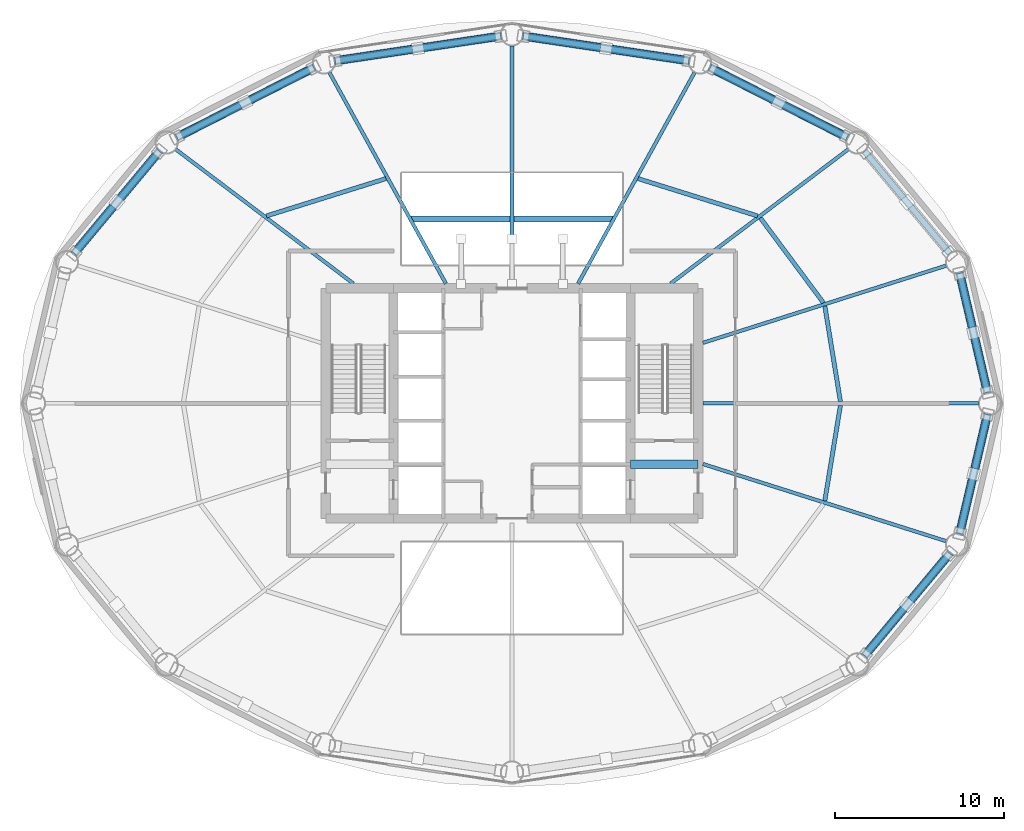
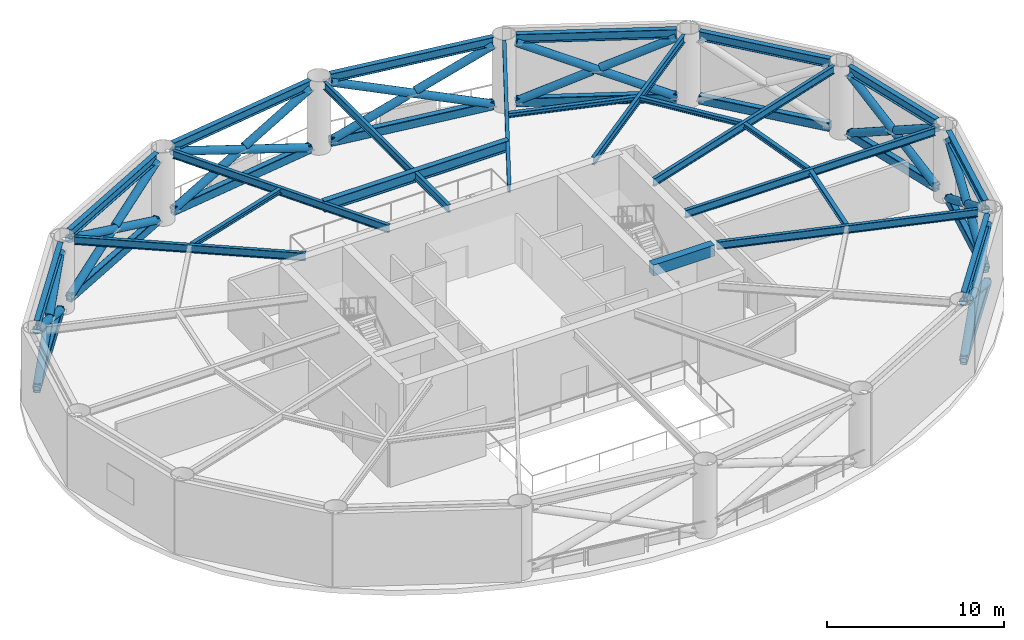
# One storey, part 2 of 7: 33 members, 24 beams.
"""IFC4 building model written with IfcOpenShell, lengths in metres."""

from ifc_helpers import new_model, si_unit, direction, frame, origin, origin_2d, place, context, subcontext, project, spatial, rectangle, hollow_rectangle, hollow_circle, i_section, extrude, material, material_profile, profile_set, type_object, element, save


model = new_model("IFC4")

# Units and contexts
model_context = context("Model", 3, precision=1e-05, world=origin(), true_north=direction((0.0, 1.0)))
body_context = subcontext(model_context, "Body", "Model", "MODEL_VIEW")
ifc_project = project(units=[si_unit("LENGTHUNIT", "METRE"), si_unit("AREAUNIT", "SQUARE_METRE"), si_unit("VOLUMEUNIT", "CUBIC_METRE"), si_unit("PLANEANGLEUNIT", "RADIAN"), si_unit("MASSUNIT", "GRAM", prefix="KILO")], contexts=[model_context])

# Site, building, storey
site_placement = place(None, origin())
site = spatial("IfcSite", under=ifc_project, at=site_placement, CompositionType="ELEMENT")
building_placement = place(site_placement, origin())
building = spatial("IfcBuilding", under=site, at=building_placement, Name="Sarneth Arch Tower", CompositionType="ELEMENT")
storey_placement = place(building_placement, frame((0.0, 0.0, 139.800048828125)))
storey = spatial("IfcBuildingStorey", under=building, at=storey_placement, Name="L35", CompositionType="ELEMENT", Elevation=139.800048828125)

# Beams
ifc_material_1 = material(Name="Steel S355", Category="steel")
ifc_material_profile_1 = material_profile(ifc_material_1, i_section(OverallWidth=0.25390625, OverallDepth=0.305908203125, WebThickness=0.0087890625, FlangeThickness=0.0146484375, FilletRadius=0.014892578125, at=origin_2d()), Name="W310x79")
ifc_profile_set_1 = profile_set([ifc_material_profile_1], Name="Steel S355")
beam_type_1 = type_object("IfcBeamType", Name="BM-JOIST-310A", PredefinedType="JOIST", material=ifc_profile_set_1)
beam_1_placement = place(storey_placement, frame((67.4013671875, 42.10400390625, 4.89697265625), z_axis=(-0.16120310833, 0.986921252109, 0.0), x_axis=(-0.986921252109, -0.16120310833, 0.0)))
element("IfcBeam", 1, at=beam_1_placement, inside=storey, type_object=beam_type_1, Name="L35 Secondary floor joist 01", PredefinedType="JOIST", context=body_context, shape_type="SweptSolid", body=[
    extrude(i_section(OverallWidth=0.25390625, OverallDepth=0.305908203125, WebThickness=0.0087890625, FlangeThickness=0.0146484375, FilletRadius=0.014892578125, at=origin_2d()), origin(), (0.0, 0.0, 1.0), 5.724853515625),
])
beam_2_placement = place(storey_placement, frame((66.3984375, 47.942626953125, 4.89697265625), z_axis=(-0.596354224217, 0.80272139579, 0.0), x_axis=(-0.80272139579, -0.596354224217, 0.0)))
element("IfcBeam", 2, at=beam_2_placement, inside=storey, type_object=beam_type_1, Name="L35 Secondary floor joist 02", PredefinedType="JOIST", context=body_context, shape_type="SweptSolid", body=[
    extrude(i_section(OverallWidth=0.25390625, OverallDepth=0.305908203125, WebThickness=0.0087890625, FlangeThickness=0.0146484375, FilletRadius=0.014892578125, at=origin_2d()), origin(), (0.0, 0.0, 1.0), 6.246337890625),
])
for number, where, z_axis, x_axis, name in (
    (3, (62.509765625, 53.072998046875, 4.89697265625), (-0.9544870201, 0.298252457594, 0.0), (-0.298252457594, -0.9544870201, 0.0), "L35 Secondary floor joist 03"),
    (4, (40.5556640625, 55.28076171875, 4.89697265625), (-0.9544870201, -0.298252457594, 0.0), (0.298252457594, -0.9544870201, 0.0), "L35 Secondary floor joist 06"),
):
    element("IfcBeam", number, at=place(storey_placement, frame(where, z_axis=z_axis, x_axis=x_axis)), inside=storey, type_object=beam_type_1, Name=name, PredefinedType="JOIST", context=body_context, shape_type="SweptSolid", body=[
        extrude(i_section(OverallWidth=0.25390625, OverallDepth=0.305908203125, WebThickness=0.0087890625, FlangeThickness=0.0146484375, FilletRadius=0.014892578125, at=origin_2d()), origin(), (0.0, 0.0, 1.0), 7.40234375),
    ])
beam_3_placement = place(storey_placement, frame((66.478515625, 36.24609375, 4.89697265625), z_axis=(0.16120310833, 0.986921252109, 0.0), x_axis=(-0.986921252109, 0.16120310833, 0.0)))
element("IfcBeam", 5, at=beam_3_placement, inside=storey, type_object=beam_type_1, Name="L35 Secondary floor joist 16", PredefinedType="JOIST", context=body_context, shape_type="SweptSolid", body=[
    extrude(i_section(OverallWidth=0.25390625, OverallDepth=0.305908203125, WebThickness=0.0087890625, FlangeThickness=0.0146484375, FilletRadius=0.014892578125, at=origin_2d()), origin(), (0.0, 0.0, 1.0), 5.724853515625),
])
ifc_material_2 = material(Name="Concrete C50/60", Category="concrete")
ifc_material_profile_2 = material_profile(ifc_material_2, rectangle(XDim=0.5, YDim=0.75, at=origin_2d()), Name="RC-500x750")
ifc_profile_set_2 = profile_set([ifc_material_profile_2], Name="Concrete C50/60")
beam_type_2 = type_object("IfcBeamType", Name="BM-LINTEL-RC", PredefinedType="LINTEL", material=ifc_profile_set_2)
beam_4_placement = place(storey_placement, frame((55.0, 38.39990234375, 4.675048828125), z_axis=(1.0, 0.0, 0.0), x_axis=(0.0, 1.0, 0.0)))
element("IfcBeam", 6, at=beam_4_placement, inside=storey, type_object=beam_type_2, Name="L35 Core coupling lintel E", PredefinedType="LINTEL", context=body_context, shape_type="SweptSolid", body=[
    extrude(rectangle(XDim=0.5, YDim=0.75, at=origin_2d()), origin(), (0.0, 0.0, 1.0), 4.0),
])
ifc_material_3 = material(Name="Steel S355", Category="steel")
ifc_material_profile_3 = material_profile(ifc_material_3, i_section(OverallWidth=0.35009765625, OverallDepth=0.75, WebThickness=0.01611328125, FlangeThickness=0.028076171875, FilletRadius=0.01806640625, at=origin_2d()), Name="CVS750x268")
ifc_profile_set_3 = profile_set([ifc_material_profile_3], Name="Steel S355")
beam_type_3 = type_object("IfcBeamType", Name="BM-POD-750", PredefinedType="BEAM", material=ifc_profile_set_3)
beam_5_placement = place(storey_placement, frame((41.987060546875, 52.89990234375, 4.780517578125), z_axis=(1.0, 0.0, 0.0), x_axis=(0.0, 1.0, 0.0)))
element("IfcBeam", 7, at=beam_5_placement, inside=storey, type_object=beam_type_3, Name="L35 Wind turbine portal header girder", PredefinedType="BEAM", context=body_context, shape_type="SweptSolid", body=[
    extrude(i_section(OverallWidth=0.35009765625, OverallDepth=0.75, WebThickness=0.01611328125, FlangeThickness=0.028076171875, FilletRadius=0.01806640625, at=origin_2d()), origin(), (0.0, 0.0, 1.0), 12.02587890625),
])
ifc_material_4 = material(Name="Steel S355", Category="steel")
ifc_material_profile_4 = material_profile(ifc_material_4, i_section(OverallWidth=0.2109375, OverallDepth=0.5390625, WebThickness=0.01171875, FlangeThickness=0.018798828125, FilletRadius=0.01806640625, at=origin_2d()), Name="W530x109")
ifc_profile_set_4 = profile_set([ifc_material_profile_4], Name="Steel S355")
beam_type_4 = type_object("IfcBeamType", Name="BM-RAD-530B", PredefinedType="BEAM", material=ifc_profile_set_4)
beam_6_placement = place(storey_placement, frame((59.27490234375, 42.0, 4.780517578125), z_axis=(1.0, 0.0, 0.0), x_axis=(0.0, 1.0, 0.0)))
element("IfcBeam", 8, at=beam_6_placement, inside=storey, type_object=beam_type_4, Name="L35 Radial floor girder 01", PredefinedType="BEAM", context=body_context, shape_type="SweptSolid", body=[
    extrude(i_section(OverallWidth=0.2109375, OverallDepth=0.5390625, WebThickness=0.01171875, FlangeThickness=0.018798828125, FilletRadius=0.01806640625, at=origin_2d()), origin(), (0.0, 0.0, 1.0), 16.28662109375),
])
beam_7_placement = place(storey_placement, frame((59.27490234375, 45.57763671875, 4.780517578125), z_axis=(0.95316257761, 0.302458427958, 0.0), x_axis=(-0.302458427958, 0.95316257761, 0.0)))
element("IfcBeam", 9, at=beam_7_placement, inside=storey, type_object=beam_type_4, Name="L35 Radial floor girder 02", PredefinedType="BEAM", context=body_context, shape_type="SweptSolid", body=[
    extrude(i_section(OverallWidth=0.2109375, OverallDepth=0.5390625, WebThickness=0.01171875, FlangeThickness=0.018798828125, FilletRadius=0.01806640625, at=origin_2d()), origin(), (0.0, 0.0, 1.0), 15.0791015625),
])
beam_8_placement = place(storey_placement, frame((57.36181640625, 49.074951171875, 4.780517578125), z_axis=(0.797801476102, 0.602920230818, 0.0), x_axis=(-0.602920230818, 0.797801476102, 0.0)))
element("IfcBeam", 10, at=beam_8_placement, inside=storey, type_object=beam_type_4, Name="L35 Radial floor girder 03", PredefinedType="BEAM", context=body_context, shape_type="SweptSolid", body=[
    extrude(i_section(OverallWidth=0.2109375, OverallDepth=0.5390625, WebThickness=0.01171875, FlangeThickness=0.018798828125, FilletRadius=0.01806640625, at=origin_2d()), origin(), (0.0, 0.0, 1.0), 13.15771484375),
])
beam_9_placement = place(storey_placement, frame((51.90283203125, 49.074951171875, 4.780517578125), z_axis=(0.48301301286, 0.875613173387, 0.0), x_axis=(-0.875613173387, 0.48301301286, 0.0)))
element("IfcBeam", 11, at=beam_9_placement, inside=storey, type_object=beam_type_4, Name="L35 Radial floor girder 04", PredefinedType="BEAM", context=body_context, shape_type="SweptSolid", body=[
    extrude(i_section(OverallWidth=0.2109375, OverallDepth=0.5390625, WebThickness=0.01171875, FlangeThickness=0.018798828125, FilletRadius=0.01806640625, at=origin_2d()), origin(), (0.0, 0.0, 1.0), 14.246826171875),
])
beam_10_placement = place(storey_placement, frame((48.0, 49.074951171875, 4.780517578125), z_axis=(0.0, 1.0, 0.0), x_axis=(-1.0, 0.0, 0.0)))
element("IfcBeam", 12, at=beam_10_placement, inside=storey, type_object=beam_type_4, Name="L35 Radial floor girder 05", PredefinedType="BEAM", context=body_context, shape_type="SweptSolid", body=[
    extrude(i_section(OverallWidth=0.2109375, OverallDepth=0.5390625, WebThickness=0.01171875, FlangeThickness=0.018798828125, FilletRadius=0.01806640625, at=origin_2d()), origin(), (0.0, 0.0, 1.0), 14.050048828125),
])
beam_11_placement = place(storey_placement, frame((44.09716796875, 49.074951171875, 4.780517578125), z_axis=(-0.48301301286, 0.875613173387, 0.0), x_axis=(-0.875613173387, -0.48301301286, 0.0)))
element("IfcBeam", 13, at=beam_11_placement, inside=storey, type_object=beam_type_4, Name="L35 Radial floor girder 06", PredefinedType="BEAM", context=body_context, shape_type="SweptSolid", body=[
    extrude(i_section(OverallWidth=0.2109375, OverallDepth=0.5390625, WebThickness=0.01171875, FlangeThickness=0.018798828125, FilletRadius=0.01806640625, at=origin_2d()), origin(), (0.0, 0.0, 1.0), 14.246826171875),
])
beam_12_placement = place(storey_placement, frame((38.63818359375, 49.074951171875, 4.780517578125), z_axis=(-0.797801476102, 0.602920230818, 0.0), x_axis=(-0.602920230818, -0.797801476102, 0.0)))
element("IfcBeam", 14, at=beam_12_placement, inside=storey, type_object=beam_type_4, Name="L35 Radial floor girder 07", PredefinedType="BEAM", context=body_context, shape_type="SweptSolid", body=[
    extrude(i_section(OverallWidth=0.2109375, OverallDepth=0.5390625, WebThickness=0.01171875, FlangeThickness=0.018798828125, FilletRadius=0.01806640625, at=origin_2d()), origin(), (0.0, 0.0, 1.0), 13.15771484375),
])
beam_13_placement = place(storey_placement, frame((59.27490234375, 38.42236328125, 4.780517578125), z_axis=(0.95316257761, -0.302458427958, 0.0), x_axis=(0.302458427958, 0.95316257761, 0.0)))
element("IfcBeam", 15, at=beam_13_placement, inside=storey, type_object=beam_type_4, Name="L35 Radial floor girder 16", PredefinedType="BEAM", context=body_context, shape_type="SweptSolid", body=[
    extrude(i_section(OverallWidth=0.2109375, OverallDepth=0.5390625, WebThickness=0.01171875, FlangeThickness=0.018798828125, FilletRadius=0.01806640625, at=origin_2d()), origin(), (0.0, 0.0, 1.0), 15.0791015625),
])
ifc_material_5 = material(Name="Steel S355", Category="steel")
ifc_material_profile_5 = material_profile(ifc_material_5, i_section(OverallWidth=0.323974609375, OverallDepth=0.611083984375, WebThickness=0.0126953125, FlangeThickness=0.01904296875, FilletRadius=0.01904296875, at=origin_2d()), Name="W610x155")
ifc_profile_set_5 = profile_set([ifc_material_profile_5], Name="Steel S355")
beam_type_5 = type_object("IfcBeamType", Name="BM-SPAN-610B", PredefinedType="SPANDREL", material=ifc_profile_set_5)
beam_14_placement = place(storey_placement, frame((76.083251953125, 42.657470703125, 4.744384765625), z_axis=(-0.22708522689, 0.973874889156, 0.0), x_axis=(-0.973874889156, -0.22708522689, 0.0)))
element("IfcBeam", 16, at=beam_14_placement, inside=storey, type_object=beam_type_5, Name="L35 Perimeter spandrel beam 01", PredefinedType="SPANDREL", context=body_context, shape_type="SweptSolid", body=[
    extrude(i_section(OverallWidth=0.323974609375, OverallDepth=0.611083984375, WebThickness=0.0126953125, FlangeThickness=0.01904296875, FilletRadius=0.01904296875, at=origin_2d()), origin(), (0.0, 0.0, 1.0), 7.216064453125),
])
beam_15_placement = place(storey_placement, frame((73.859130859375, 50.861083984375, 4.744384765625), z_axis=(-0.640169116175, 0.768234015581, 0.0), x_axis=(-0.768234015581, -0.640169116175, 0.0)))
element("IfcBeam", 17, at=beam_15_placement, inside=storey, type_object=beam_type_5, Name="L35 Perimeter spandrel beam 02", PredefinedType="SPANDREL", context=body_context, shape_type="SweptSolid", body=[
    extrude(i_section(OverallWidth=0.323974609375, OverallDepth=0.611083984375, WebThickness=0.0126953125, FlangeThickness=0.01904296875, FilletRadius=0.01904296875, at=origin_2d()), origin(), (0.0, 0.0, 1.0), 7.856201171875),
])
beam_16_placement = place(storey_placement, frame((67.796142578125, 57.720947265625, 4.744384765625), z_axis=(-0.891255891792, 0.453500755619, 0.0), x_axis=(-0.453500755619, -0.891255891792, 0.0)))
element("IfcBeam", 18, at=beam_16_placement, inside=storey, type_object=beam_type_5, Name="L35 Perimeter spandrel beam 03", PredefinedType="SPANDREL", context=body_context, shape_type="SweptSolid", body=[
    extrude(i_section(OverallWidth=0.323974609375, OverallDepth=0.611083984375, WebThickness=0.0126953125, FlangeThickness=0.01904296875, FilletRadius=0.01904296875, at=origin_2d()), origin(), (0.0, 0.0, 1.0), 9.070556640625),
])
for number, where, z_axis, x_axis, name in (
    (19, (58.442626953125, 62.240234375, 4.744384765625), (-0.989029828744, 0.147715936359, 0.0), (-0.147715936359, -0.989029828744, 0.0), "L35 Perimeter spandrel beam 04"),
    (20, (47.33251953125, 63.7001953125, 4.744384765625), (-0.989029828744, -0.147715936359, 0.0), (0.147715936359, -0.989029828744, 0.0), "L35 Perimeter spandrel beam 05"),
):
    element("IfcBeam", number, at=place(storey_placement, frame(where, z_axis=z_axis, x_axis=x_axis)), inside=storey, type_object=beam_type_5, Name=name, PredefinedType="SPANDREL", context=body_context, shape_type="SweptSolid", body=[
        extrude(i_section(OverallWidth=0.323974609375, OverallDepth=0.611083984375, WebThickness=0.0126953125, FlangeThickness=0.01904296875, FilletRadius=0.01904296875, at=origin_2d()), origin(), (0.0, 0.0, 1.0), 9.883544921875),
    ])
beam_17_placement = place(storey_placement, frame((36.2880859375, 61.83447265625, 4.744384765625), z_axis=(-0.891255891792, -0.453500755619, 0.0), x_axis=(0.453500755619, -0.891255891792, 0.0)))
element("IfcBeam", 21, at=beam_17_placement, inside=storey, type_object=beam_type_5, Name="L35 Perimeter spandrel beam 06", PredefinedType="SPANDREL", context=body_context, shape_type="SweptSolid", body=[
    extrude(i_section(OverallWidth=0.323974609375, OverallDepth=0.611083984375, WebThickness=0.0126953125, FlangeThickness=0.01904296875, FilletRadius=0.01904296875, at=origin_2d()), origin(), (0.0, 0.0, 1.0), 9.070556640625),
])
for number, where, z_axis, x_axis, name in (
    (22, (27.170166015625, 56.896484375, 4.744384765625), (-0.640169116175, -0.768234015581, 0.0), (0.768234015581, -0.640169116175, 0.0), "L35 Perimeter spandrel beam 07"),
    (23, (68.829833984375, 27.103515625, 4.744384765625), (0.640169116175, 0.768234015581, 0.0), (-0.768234015581, 0.640169116175, 0.0), "L35 Perimeter spandrel beam 15"),
):
    element("IfcBeam", number, at=place(storey_placement, frame(where, z_axis=z_axis, x_axis=x_axis)), inside=storey, type_object=beam_type_5, Name=name, PredefinedType="SPANDREL", context=body_context, shape_type="SweptSolid", body=[
        extrude(i_section(OverallWidth=0.323974609375, OverallDepth=0.611083984375, WebThickness=0.0126953125, FlangeThickness=0.01904296875, FilletRadius=0.01904296875, at=origin_2d()), origin(), (0.0, 0.0, 1.0), 7.856201171875),
    ])
beam_18_placement = place(storey_placement, frame((74.444580078125, 34.31494140625, 4.744384765625), z_axis=(0.22708522689, 0.973874889156, 0.0), x_axis=(-0.973874889156, 0.22708522689, 0.0)))
element("IfcBeam", 24, at=beam_18_placement, inside=storey, type_object=beam_type_5, Name="L35 Perimeter spandrel beam 16", PredefinedType="SPANDREL", context=body_context, shape_type="SweptSolid", body=[
    extrude(i_section(OverallWidth=0.323974609375, OverallDepth=0.611083984375, WebThickness=0.0126953125, FlangeThickness=0.01904296875, FilletRadius=0.01904296875, at=origin_2d()), origin(), (0.0, 0.0, 1.0), 7.216064453125),
])

# Members
ifc_material_6 = material(Name="Steel S355", Category="steel")
ifc_material_profile_6 = material_profile(ifc_material_6, hollow_rectangle(XDim=0.39990234375, YDim=0.60009765625, WallThickness=0.02197265625, InnerFilletRadius=0.032958984375, OuterFilletRadius=0.054931640625, at=origin_2d()), Name="RHS600x400x22")
ifc_profile_set_6 = profile_set([ifc_material_profile_6], Name="Steel S355")
member_type_1 = type_object("IfcMemberType", Name="MEM-BELT-CHORD", PredefinedType="CHORD", material=ifc_profile_set_6)
member_1_placement = place(storey_placement, frame((76.083251953125, 42.657470703125, 0.349853515625), z_axis=(-0.22708522689, 0.973874889156, 0.0), x_axis=(-0.973874889156, -0.22708522689, 0.0)))
element("IfcMember", 25, at=member_1_placement, inside=storey, type_object=member_type_1, Name="L35 Ring belt bottom chord 01", PredefinedType="CHORD", context=body_context, shape_type="SweptSolid", body=[
    extrude(hollow_rectangle(XDim=0.39990234375, YDim=0.60009765625, WallThickness=0.02197265625, InnerFilletRadius=0.032958984375, OuterFilletRadius=0.054931640625, at=origin_2d()), origin(), (0.0, 0.0, 1.0), 7.216064453125),
])
member_2_placement = place(storey_placement, frame((73.859130859375, 50.861083984375, 0.349853515625), z_axis=(-0.640169116175, 0.768234015581, 0.0), x_axis=(-0.768234015581, -0.640169116175, 0.0)))
element("IfcMember", 26, at=member_2_placement, inside=storey, type_object=member_type_1, Name="L35 Ring belt bottom chord 02", PredefinedType="CHORD", context=body_context, shape_type="SweptSolid", body=[
    extrude(hollow_rectangle(XDim=0.39990234375, YDim=0.60009765625, WallThickness=0.02197265625, InnerFilletRadius=0.032958984375, OuterFilletRadius=0.054931640625, at=origin_2d()), origin(), (0.0, 0.0, 1.0), 7.856201171875),
])
member_3_placement = place(storey_placement, frame((67.796142578125, 57.720947265625, 0.349853515625), z_axis=(-0.891255891792, 0.453500755619, 0.0), x_axis=(-0.453500755619, -0.891255891792, 0.0)))
element("IfcMember", 27, at=member_3_placement, inside=storey, type_object=member_type_1, Name="L35 Ring belt bottom chord 03", PredefinedType="CHORD", context=body_context, shape_type="SweptSolid", body=[
    extrude(hollow_rectangle(XDim=0.39990234375, YDim=0.60009765625, WallThickness=0.02197265625, InnerFilletRadius=0.032958984375, OuterFilletRadius=0.054931640625, at=origin_2d()), origin(), (0.0, 0.0, 1.0), 9.070556640625),
])
for number, where, z_axis, x_axis, name in (
    (28, (58.442626953125, 62.240234375, 0.349853515625), (-0.989029828744, 0.147715936359, 0.0), (-0.147715936359, -0.989029828744, 0.0), "L35 Ring belt bottom chord 04"),
    (29, (47.33251953125, 63.7001953125, 0.349853515625), (-0.989029828744, -0.147715936359, 0.0), (0.147715936359, -0.989029828744, 0.0), "L35 Ring belt bottom chord 05"),
):
    element("IfcMember", number, at=place(storey_placement, frame(where, z_axis=z_axis, x_axis=x_axis)), inside=storey, type_object=member_type_1, Name=name, PredefinedType="CHORD", context=body_context, shape_type="SweptSolid", body=[
        extrude(hollow_rectangle(XDim=0.39990234375, YDim=0.60009765625, WallThickness=0.02197265625, InnerFilletRadius=0.032958984375, OuterFilletRadius=0.054931640625, at=origin_2d()), origin(), (0.0, 0.0, 1.0), 9.883544921875),
    ])
member_4_placement = place(storey_placement, frame((36.2880859375, 61.83447265625, 0.349853515625), z_axis=(-0.891255891792, -0.453500755619, 0.0), x_axis=(0.453500755619, -0.891255891792, 0.0)))
element("IfcMember", 30, at=member_4_placement, inside=storey, type_object=member_type_1, Name="L35 Ring belt bottom chord 06", PredefinedType="CHORD", context=body_context, shape_type="SweptSolid", body=[
    extrude(hollow_rectangle(XDim=0.39990234375, YDim=0.60009765625, WallThickness=0.02197265625, InnerFilletRadius=0.032958984375, OuterFilletRadius=0.054931640625, at=origin_2d()), origin(), (0.0, 0.0, 1.0), 9.070556640625),
])
for number, where, z_axis, x_axis, name in (
    (31, (27.170166015625, 56.896484375, 0.349853515625), (-0.640169116175, -0.768234015581, 0.0), (0.768234015581, -0.640169116175, 0.0), "L35 Ring belt bottom chord 07"),
    (32, (68.829833984375, 27.103515625, 0.349853515625), (0.640169116175, 0.768234015581, 0.0), (-0.768234015581, 0.640169116175, 0.0), "L35 Ring belt bottom chord 15"),
):
    element("IfcMember", number, at=place(storey_placement, frame(where, z_axis=z_axis, x_axis=x_axis)), inside=storey, type_object=member_type_1, Name=name, PredefinedType="CHORD", context=body_context, shape_type="SweptSolid", body=[
        extrude(hollow_rectangle(XDim=0.39990234375, YDim=0.60009765625, WallThickness=0.02197265625, InnerFilletRadius=0.032958984375, OuterFilletRadius=0.054931640625, at=origin_2d()), origin(), (0.0, 0.0, 1.0), 7.856201171875),
    ])
member_5_placement = place(storey_placement, frame((74.444580078125, 34.31494140625, 0.349853515625), z_axis=(0.22708522689, 0.973874889156, 0.0), x_axis=(-0.973874889156, 0.22708522689, 0.0)))
element("IfcMember", 33, at=member_5_placement, inside=storey, type_object=member_type_1, Name="L35 Ring belt bottom chord 16", PredefinedType="CHORD", context=body_context, shape_type="SweptSolid", body=[
    extrude(hollow_rectangle(XDim=0.39990234375, YDim=0.60009765625, WallThickness=0.02197265625, InnerFilletRadius=0.032958984375, OuterFilletRadius=0.054931640625, at=origin_2d()), origin(), (0.0, 0.0, 1.0), 7.216064453125),
])
ifc_material_7 = material(Name="Steel S355", Category="steel")
ifc_material_profile_7 = material_profile(ifc_material_7, hollow_circle(Radius=0.25390625, WallThickness=0.01611328125, at=origin_2d()), Name="CHS508x16")
ifc_profile_set_7 = profile_set([ifc_material_profile_7], Name="Steel S355")
member_type_2 = type_object("IfcMemberType", Name="MEM-BELT-DIAG2", PredefinedType="BRACE", material=ifc_profile_set_7)
member_6_placement = place(storey_placement, frame((76.083251953125, 42.657470703125, 0.349853515625), z_axis=(-0.197804335752, 0.848301222379, 0.49118070083), x_axis=(-0.973874889156, -0.22708522689, 0.0)))
element("IfcMember", 34, at=member_6_placement, inside=storey, type_object=member_type_2, Name="L35 Ring belt continuous diagonal A01", PredefinedType="BRACE", context=body_context, shape_type="SweptSolid", body=[
    extrude(hollow_circle(Radius=0.25390625, WallThickness=0.01611328125, at=origin_2d()), origin(), (0.0, 0.0, 1.0), 8.284423828125),
])
member_7_placement = place(storey_placement, frame((74.444580078125, 49.68505859375, 0.349853515625), z_axis=(0.197772765264, -0.848296504102, 0.491201561936), x_axis=(0.97388262479, 0.227052049391, 0.0)))
element("IfcMember", 35, at=member_7_placement, inside=storey, type_object=member_type_2, Name="L35 Ring belt split diagonal B1-01", PredefinedType="BRACE", context=body_context, shape_type="SweptSolid", body=[
    extrude(hollow_circle(Radius=0.25390625, WallThickness=0.01611328125, at=origin_2d()), origin(), (0.0, 0.0, 1.0), 3.892333984375),
])
member_8_placement = place(storey_placement, frame((75.313232421875, 45.959228515625, 2.50732421875), z_axis=(0.197839131094, -0.848312114431, 0.491147874593), x_axis=(0.97386669934, 0.22712034677, 0.0)))
element("IfcMember", 36, at=member_8_placement, inside=storey, type_object=member_type_2, Name="L35 Ring belt split diagonal B2-01", PredefinedType="BRACE", context=body_context, shape_type="SweptSolid", body=[
    extrude(hollow_circle(Radius=0.25390625, WallThickness=0.01611328125, at=origin_2d()), origin(), (0.0, 0.0, 1.0), 3.89208984375),
])
member_9_placement = place(storey_placement, frame((67.796142578125, 57.720947265625, 0.349853515625), z_axis=(-0.813180252003, 0.41377326325, 0.409303755629), x_axis=(-0.453500755619, -0.891255891792, 0.0)))
element("IfcMember", 37, at=member_9_placement, inside=storey, type_object=member_type_2, Name="L35 Ring belt continuous diagonal A03", PredefinedType="BRACE", context=body_context, shape_type="SweptSolid", body=[
    extrude(hollow_circle(Radius=0.25390625, WallThickness=0.01611328125, at=origin_2d()), origin(), (0.0, 0.0, 1.0), 9.94140625),
])
member_10_placement = place(storey_placement, frame((59.7119140625, 61.83447265625, 0.349853515625), z_axis=(0.813169355563, -0.41377308661, 0.409325581867), x_axis=(0.453505428917, 0.891253513846, 0.0)))
element("IfcMember", 38, at=member_10_placement, inside=storey, type_object=member_type_2, Name="L35 Ring belt split diagonal B1-03", PredefinedType="BRACE", context=body_context, shape_type="SweptSolid", body=[
    extrude(hollow_circle(Radius=0.25390625, WallThickness=0.01611328125, at=origin_2d()), origin(), (0.0, 0.0, 1.0), 4.720947265625),
])
member_11_placement = place(storey_placement, frame((63.957275390625, 59.67431640625, 2.48681640625), z_axis=(0.813186568469, -0.413781845225, 0.409282530073), x_axis=(0.453505428917, 0.891253513846, 0.0)))
element("IfcMember", 39, at=member_11_placement, inside=storey, type_object=member_type_2, Name="L35 Ring belt split diagonal B2-03", PredefinedType="BRACE", context=body_context, shape_type="SweptSolid", body=[
    extrude(hollow_circle(Radius=0.25390625, WallThickness=0.01611328125, at=origin_2d()), origin(), (0.0, 0.0, 1.0), 4.720703125),
])
member_12_placement = place(storey_placement, frame((58.442626953125, 62.240234375, 0.349853515625), z_axis=(-0.914554219414, 0.136592677941, 0.380700696196), x_axis=(-0.147715936359, -0.989029828744, 0.0)))
element("IfcMember", 40, at=member_12_placement, inside=storey, type_object=member_type_2, Name="L35 Ring belt continuous diagonal A04", PredefinedType="BRACE", context=body_context, shape_type="SweptSolid", body=[
    extrude(hollow_circle(Radius=0.25390625, WallThickness=0.01611328125, at=origin_2d()), origin(), (0.0, 0.0, 1.0), 10.6884765625),
])
for number, where, z_axis, x_axis, name in (
    (41, (48.66748046875, 63.7001953125, 0.349853515625), (0.914549388022, -0.136585744163, 0.380714790046), (0.147709364832, 0.989030810208, 0.0), "L35 Ring belt split diagonal B1-04"),
    (42, (53.78369140625, 62.93603515625, 2.479736328125), (0.914566074012, -0.136588236175, 0.380673810506), (0.147709364832, 0.989030810208, 0.0), "L35 Ring belt split diagonal B2-04"),
):
    element("IfcMember", number, at=place(storey_placement, frame(where, z_axis=z_axis, x_axis=x_axis)), inside=storey, type_object=member_type_2, Name=name, PredefinedType="BRACE", context=body_context, shape_type="SweptSolid", body=[
        extrude(hollow_circle(Radius=0.25390625, WallThickness=0.01611328125, at=origin_2d()), origin(), (0.0, 0.0, 1.0), 5.09423828125),
    ])
member_13_placement = place(storey_placement, frame((47.33251953125, 63.7001953125, 0.349853515625), z_axis=(-0.914554219414, -0.136592677941, 0.380700696196), x_axis=(0.147715936359, -0.989029828744, 0.0)))
element("IfcMember", 43, at=member_13_placement, inside=storey, type_object=member_type_2, Name="L35 Ring belt continuous diagonal A05", PredefinedType="BRACE", context=body_context, shape_type="SweptSolid", body=[
    extrude(hollow_circle(Radius=0.25390625, WallThickness=0.01611328125, at=origin_2d()), origin(), (0.0, 0.0, 1.0), 10.6884765625),
])
for number, where, z_axis, x_axis, name in (
    (44, (37.557373046875, 62.240234375, 0.349853515625), (0.914549388022, 0.136585744163, 0.380714790046), (-0.147709364832, 0.989030810208, 0.0), "L35 Ring belt split diagonal B1-05"),
    (45, (42.673583984375, 63.00439453125, 2.479736328125), (0.914566074012, 0.136588236175, 0.380673810506), (-0.147709364832, 0.989030810208, 0.0), "L35 Ring belt split diagonal B2-05"),
):
    element("IfcMember", number, at=place(storey_placement, frame(where, z_axis=z_axis, x_axis=x_axis)), inside=storey, type_object=member_type_2, Name=name, PredefinedType="BRACE", context=body_context, shape_type="SweptSolid", body=[
        extrude(hollow_circle(Radius=0.25390625, WallThickness=0.01611328125, at=origin_2d()), origin(), (0.0, 0.0, 1.0), 5.09423828125),
    ])
member_14_placement = place(storey_placement, frame((36.2880859375, 61.83447265625, 0.349853515625), z_axis=(-0.813180252003, -0.41377326325, 0.409303755629), x_axis=(0.453500755619, -0.891255891792, 0.0)))
element("IfcMember", 46, at=member_14_placement, inside=storey, type_object=member_type_2, Name="L35 Ring belt continuous diagonal A06", PredefinedType="BRACE", context=body_context, shape_type="SweptSolid", body=[
    extrude(hollow_circle(Radius=0.25390625, WallThickness=0.01611328125, at=origin_2d()), origin(), (0.0, 0.0, 1.0), 9.94140625),
])
member_15_placement = place(storey_placement, frame((28.203857421875, 57.720947265625, 0.349853515625), z_axis=(0.813169355563, 0.41377308661, 0.409325581867), x_axis=(-0.453505428917, 0.891253513846, 0.0)))
element("IfcMember", 47, at=member_15_placement, inside=storey, type_object=member_type_2, Name="L35 Ring belt split diagonal B1-06", PredefinedType="BRACE", context=body_context, shape_type="SweptSolid", body=[
    extrude(hollow_circle(Radius=0.25390625, WallThickness=0.01611328125, at=origin_2d()), origin(), (0.0, 0.0, 1.0), 4.720947265625),
])
member_16_placement = place(storey_placement, frame((32.44921875, 59.881103515625, 2.48681640625), z_axis=(0.813186568469, 0.413781845225, 0.409282530073), x_axis=(-0.453505428917, 0.891253513846, 0.0)))
element("IfcMember", 48, at=member_16_placement, inside=storey, type_object=member_type_2, Name="L35 Ring belt split diagonal B2-06", PredefinedType="BRACE", context=body_context, shape_type="SweptSolid", body=[
    extrude(hollow_circle(Radius=0.25390625, WallThickness=0.01611328125, at=origin_2d()), origin(), (0.0, 0.0, 1.0), 4.720703125),
])
member_17_placement = place(storey_placement, frame((27.170166015625, 56.896484375, 0.349853515625), z_axis=(-0.568445844275, -0.682162607588, 0.459916839152), x_axis=(0.768234015581, -0.640169116175, 0.0)))
element("IfcMember", 49, at=member_17_placement, inside=storey, type_object=member_type_2, Name="L35 Ring belt continuous diagonal A07", PredefinedType="BRACE", context=body_context, shape_type="SweptSolid", body=[
    extrude(hollow_circle(Radius=0.25390625, WallThickness=0.01611328125, at=origin_2d()), origin(), (0.0, 0.0, 1.0), 8.847412109375),
])
member_18_placement = place(storey_placement, frame((22.140869140625, 50.861083984375, 0.349853515625), z_axis=(0.568441611408, 0.682153331163, 0.45993582944), x_axis=(-0.768232078638, 0.640171440594, 0.0)))
element("IfcMember", 50, at=member_18_placement, inside=storey, type_object=member_type_2, Name="L35 Ring belt split diagonal B1-07", PredefinedType="BRACE", context=body_context, shape_type="SweptSolid", body=[
    extrude(hollow_circle(Radius=0.25390625, WallThickness=0.01611328125, at=origin_2d()), origin(), (0.0, 0.0, 1.0), 4.173828125),
])
member_19_placement = place(storey_placement, frame((24.797607421875, 54.04931640625, 2.49951171875), z_axis=(0.568456904031, 0.68217168294, 0.459889707707), x_axis=(-0.768232078638, 0.640171440594, 0.0)))
element("IfcMember", 51, at=member_19_placement, inside=storey, type_object=member_type_2, Name="L35 Ring belt split diagonal B2-07", PredefinedType="BRACE", context=body_context, shape_type="SweptSolid", body=[
    extrude(hollow_circle(Radius=0.25390625, WallThickness=0.01611328125, at=origin_2d()), origin(), (0.0, 0.0, 1.0), 4.173583984375),
])
member_20_placement = place(storey_placement, frame((68.829833984375, 27.103515625, 0.349853515625), z_axis=(0.568445844275, 0.682162607588, 0.459916839152), x_axis=(-0.768234015581, 0.640169116175, 0.0)))
element("IfcMember", 52, at=member_20_placement, inside=storey, type_object=member_type_2, Name="L35 Ring belt continuous diagonal A15", PredefinedType="BRACE", context=body_context, shape_type="SweptSolid", body=[
    extrude(hollow_circle(Radius=0.25390625, WallThickness=0.01611328125, at=origin_2d()), origin(), (0.0, 0.0, 1.0), 8.847412109375),
])
member_21_placement = place(storey_placement, frame((73.859130859375, 33.138916015625, 0.349853515625), z_axis=(-0.568441611408, -0.682153331163, 0.45993582944), x_axis=(0.768232078638, -0.640171440594, 0.0)))
element("IfcMember", 53, at=member_21_placement, inside=storey, type_object=member_type_2, Name="L35 Ring belt split diagonal B1-15", PredefinedType="BRACE", context=body_context, shape_type="SweptSolid", body=[
    extrude(hollow_circle(Radius=0.25390625, WallThickness=0.01611328125, at=origin_2d()), origin(), (0.0, 0.0, 1.0), 4.173828125),
])
member_22_placement = place(storey_placement, frame((71.202392578125, 29.95068359375, 2.49951171875), z_axis=(-0.568456904031, -0.68217168294, 0.459889707707), x_axis=(0.768232078638, -0.640171440594, 0.0)))
element("IfcMember", 54, at=member_22_placement, inside=storey, type_object=member_type_2, Name="L35 Ring belt split diagonal B2-15", PredefinedType="BRACE", context=body_context, shape_type="SweptSolid", body=[
    extrude(hollow_circle(Radius=0.25390625, WallThickness=0.01611328125, at=origin_2d()), origin(), (0.0, 0.0, 1.0), 4.173583984375),
])
member_23_placement = place(storey_placement, frame((74.444580078125, 34.31494140625, 0.349853515625), z_axis=(0.197804335752, 0.848301222379, 0.49118070083), x_axis=(-0.973874889156, 0.22708522689, 0.0)))
element("IfcMember", 55, at=member_23_placement, inside=storey, type_object=member_type_2, Name="L35 Ring belt continuous diagonal A16", PredefinedType="BRACE", context=body_context, shape_type="SweptSolid", body=[
    extrude(hollow_circle(Radius=0.25390625, WallThickness=0.01611328125, at=origin_2d()), origin(), (0.0, 0.0, 1.0), 8.284423828125),
])
member_24_placement = place(storey_placement, frame((76.083251953125, 41.342529296875, 0.349853515625), z_axis=(-0.197833035969, -0.848285979214, 0.491195467556), x_axis=(0.97386669934, -0.22712034677, 0.0)))
element("IfcMember", 56, at=member_24_placement, inside=storey, type_object=member_type_2, Name="L35 Ring belt split diagonal B1-16", PredefinedType="BRACE", context=body_context, shape_type="SweptSolid", body=[
    extrude(hollow_circle(Radius=0.25390625, WallThickness=0.01611328125, at=origin_2d()), origin(), (0.0, 0.0, 1.0), 3.892333984375),
])
member_25_placement = place(storey_placement, frame((75.21435546875, 37.61669921875, 2.50732421875), z_axis=(-0.197778858684, -0.848322640291, 0.491153968758), x_axis=(0.97388262479, -0.227052049391, 0.0)))
element("IfcMember", 57, at=member_25_placement, inside=storey, type_object=member_type_2, Name="L35 Ring belt split diagonal B2-16", PredefinedType="BRACE", context=body_context, shape_type="SweptSolid", body=[
    extrude(hollow_circle(Radius=0.25390625, WallThickness=0.01611328125, at=origin_2d()), origin(), (0.0, 0.0, 1.0), 3.89208984375),
])

save(model, "model.ifc")
